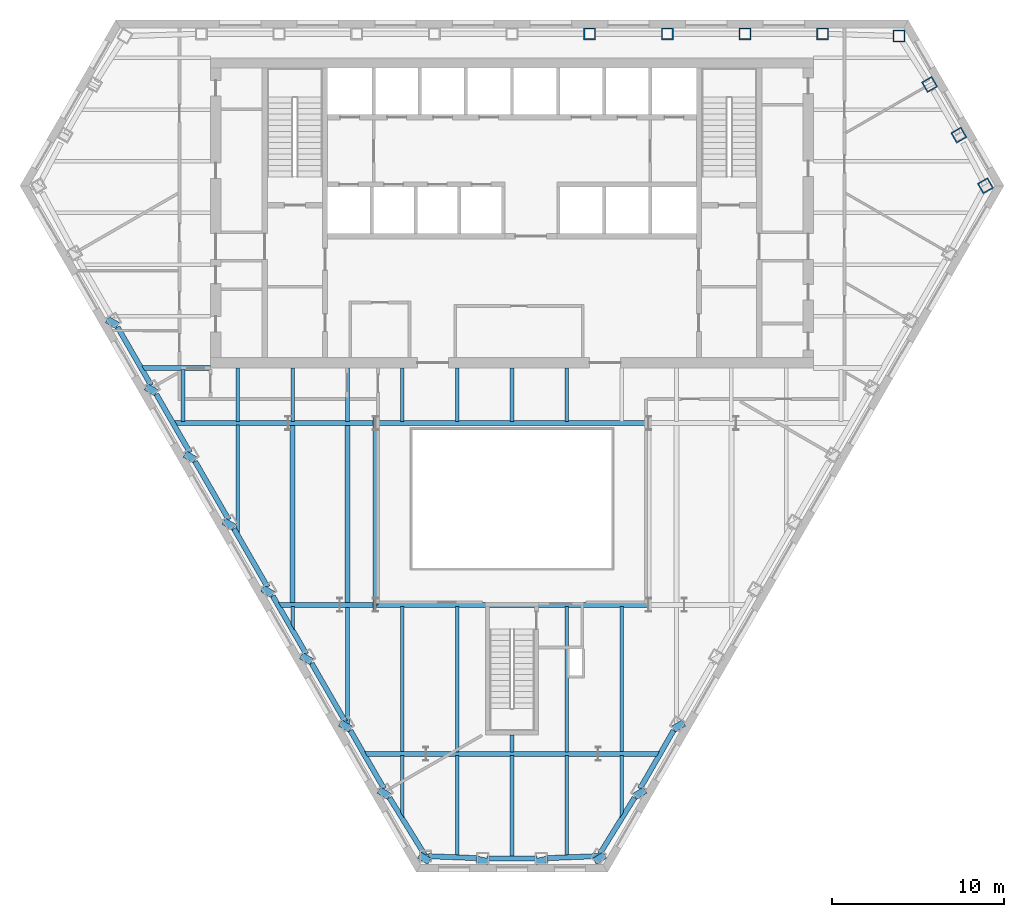
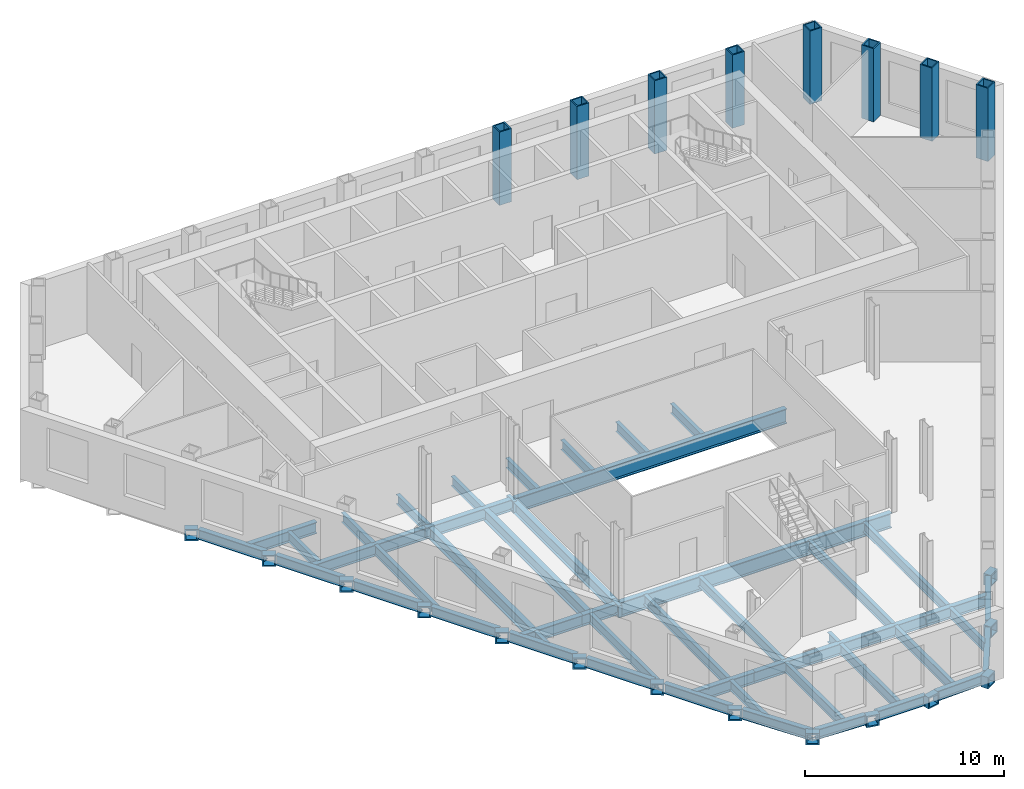
# One storey, part 2 of 12: 63 beams, 8 columns.
"""IFC4 building model written with IfcOpenShell, lengths in metres."""

from ifc_helpers import new_model, si_unit, direction, frame, origin, origin_2d, place, context, subcontext, project, spatial, hollow_rectangle, i_section, extrude, clip, halfspace, material, material_profile, profile_set, type_object, element, save


model = new_model("IFC4")

# Units and contexts
model_context = context("Model", 3, precision=1e-05, world=origin(), true_north=direction((0.0, 1.0)))
body_context = subcontext(model_context, "Body", "Model", "MODEL_VIEW")
ifc_project = project(units=[si_unit("LENGTHUNIT", "METRE"), si_unit("AREAUNIT", "SQUARE_METRE"), si_unit("VOLUMEUNIT", "CUBIC_METRE"), si_unit("PLANEANGLEUNIT", "RADIAN"), si_unit("MASSUNIT", "GRAM", prefix="KILO")], contexts=[model_context])

# Site, building, storey
site_placement = place(None, origin())
site = spatial("IfcSite", under=ifc_project, at=site_placement, CompositionType="ELEMENT")
building_placement = place(site_placement, origin())
building = spatial("IfcBuilding", under=site, at=building_placement, Name="Njiva Tower", CompositionType="ELEMENT")
storey_placement = place(building_placement, frame((0.0, 0.0, 60.3)))
storey = spatial("IfcBuildingStorey", under=building, at=storey_placement, Name="L12", CompositionType="ELEMENT", Elevation=60.3)

# Columns
ifc_material = material(Name="Steel S355 J2", Category="steel")
ifc_material_profile_1 = material_profile(ifc_material, hollow_rectangle(XDim=0.7, YDim=0.7, WallThickness=0.07, at=origin_2d()), Name="BOX 700x700x70")
ifc_profile_set_1 = profile_set([ifc_material_profile_1], Name="Steel S355 J2")
column_type = type_object("IfcColumnType", Name="C5 Perimeter tube column BOX 700x700x70", PredefinedType="COLUMN", material=ifc_profile_set_1)
for number, where, z_axis, x_axis, name in (
    (1, (22.466, 19.267, 0.0), (0.0, 0.0, 1.0), (-1.0, 0.0, 0.0), "Perimeter tube column S04-C01"),
    (2, (18.034, 19.4, 0.0), (0.0, 0.0, 1.0), (-1.0, 0.0, 0.0), "Perimeter tube column S04-C02"),
    (3, (13.526, 19.4, 0.0), (0.0, 0.0, 1.0), (-1.0, 0.0, 0.0), "Perimeter tube column S04-C03"),
    (4, (9.017, 19.4, 0.0), (0.0, 0.0, 1.0), (-1.0, 0.0, 0.0), "Perimeter tube column S04-C04"),
    (5, (4.509, 19.4, 0.0), (0.0, 0.0, 1.0), (-1.0, 0.0, 0.0), "Perimeter tube column S04-C05"),
    (6, (27.483, 10.578, 0.0), (0.0, 0.0, 1.0), (-0.5, 0.866025403784, 0.0), "Perimeter tube column S04-C37"),
    (7, (25.939, 13.519, 0.0), (0.0, 0.0, 1.0), (-0.5, 0.866025403784, 0.0), "Perimeter tube column S04-C38"),
    (8, (24.241, 16.459, 0.0), (0.0, 0.0, 1.0), (-0.5, 0.866025403784, 0.0), "Perimeter tube column S04-C39"),
):
    element("IfcColumn", number, at=place(storey_placement, frame(where, z_axis=z_axis, x_axis=x_axis)), inside=storey, type_object=column_type, Name=name, PredefinedType="COLUMN", context=body_context, shape_type="SweptSolid", body=[
        extrude(hollow_rectangle(XDim=0.7, YDim=0.7, WallThickness=0.07, at=origin_2d()), origin(), (0.0, 0.0, 1.0), 4.5),
    ])

# Beams
ifc_material_profile_2 = material_profile(ifc_material, i_section(OverallWidth=0.3, OverallDepth=0.69, WebThickness=0.0145, FlangeThickness=0.027, at=origin_2d()), Name="HEA 700")
ifc_profile_set_2 = profile_set([ifc_material_profile_2], Name="Steel S355 J2")
beam_type_1 = type_object("IfcBeamType", Name="B12 Long-span floor joist HEA 700", PredefinedType="JOIST", material=ifc_profile_set_2)
for number, where, z_axis, x_axis, name in (
    (9, (-12.733, -3.3, -0.545), (0.0, -1.0, 0.0), (1.0, 0.0, 0.0), "Long-span floor joist S04-B064"),
    (10, (-9.55, -3.3, -0.545), (0.0, -1.0, 0.0), (1.0, 0.0, 0.0), "Long-span floor joist S04-B068"),
):
    element("IfcBeam", number, at=place(storey_placement, frame(where, z_axis=z_axis, x_axis=x_axis)), inside=storey, type_object=beam_type_1, Name=name, PredefinedType="JOIST", context=body_context, shape_type="SweptSolid", body=[
        extrude(i_section(OverallWidth=0.3, OverallDepth=0.69, WebThickness=0.0145, FlangeThickness=0.027, at=origin_2d()), origin(), (0.0, 0.0, 1.0), 10.35),
    ])
ifc_material_profile_3 = material_profile(ifc_material, i_section(OverallWidth=0.22, OverallDepth=0.6, WebThickness=0.012, FlangeThickness=0.019, at=origin_2d()), Name="IPE 600")
ifc_profile_set_3 = profile_set([ifc_material_profile_3], Name="Steel S355 J2")
beam_type_2 = type_object("IfcBeamType", Name="B13 Floor joist IPE 600", PredefinedType="JOIST", material=ifc_profile_set_3)
beam_1_placement = place(storey_placement, frame((-15.917, -3.3, -0.5), z_axis=(0.0, -1.0, 0.0), x_axis=(1.0, 0.0, 0.0)))
element("IfcBeam", 11, at=beam_1_placement, inside=storey, type_object=beam_type_2, Name="Floor joist S04-B061", PredefinedType="JOIST", context=body_context, shape_type="Clipping", body=[
    clip(extrude(i_section(OverallWidth=0.22, OverallDepth=0.6, WebThickness=0.012, FlangeThickness=0.019, at=origin_2d()), origin(), (0.0, 0.0, 1.0), 6.431), halfspace(frame((-0.043, 0.0, 6.1454), z_axis=(-0.866026552831, 0.0, 0.499998009787), x_axis=(0.0, 1.0, 0.0)), False)),
])
beam_2_placement = place(storey_placement, frame((-9.55, -13.85, -0.5), z_axis=(0.0, -1.0, 0.0), x_axis=(1.0, 0.0, 0.0)))
element("IfcBeam", 12, at=beam_2_placement, inside=storey, type_object=beam_type_2, Name="Floor joist S04-B066", PredefinedType="JOIST", context=body_context, shape_type="Clipping", body=[
    clip(extrude(i_section(OverallWidth=0.22, OverallDepth=0.6, WebThickness=0.012, FlangeThickness=0.019, at=origin_2d()), origin(), (0.0, 0.0, 1.0), 7.02), halfspace(frame((-0.0433, 0.0, 6.7341), z_axis=(-0.866026552831, 0.0, 0.499998009787), x_axis=(0.0, 1.0, 0.0)), False)),
])
for number, where, z_axis, x_axis, name in (
    (13, (-6.367, -13.851, -0.5), (0.0, -1.0, 0.0), (1.0, 0.0, 0.0), "Floor joist S04-B071"),
    (14, (-3.183, -13.851, -0.5), (0.0, -1.0, 0.0), (1.0, 0.0, 0.0), "Floor joist S04-B074"),
):
    element("IfcBeam", number, at=place(storey_placement, frame(where, z_axis=z_axis, x_axis=x_axis)), inside=storey, type_object=beam_type_2, Name=name, PredefinedType="JOIST", context=body_context, shape_type="SweptSolid", body=[
        extrude(i_section(OverallWidth=0.22, OverallDepth=0.6, WebThickness=0.012, FlangeThickness=0.019, at=origin_2d()), origin(), (0.0, 0.0, 1.0), 8.449),
    ])
beam_3_placement = place(storey_placement, frame((-3.183, -22.5, -0.5), z_axis=(0.0, -1.0, 0.0), x_axis=(1.0, 0.0, 0.0)))
element("IfcBeam", 15, at=beam_3_placement, inside=storey, type_object=beam_type_2, Name="Floor joist S04-B073", PredefinedType="JOIST", context=body_context, shape_type="SweptSolid", body=[
    extrude(i_section(OverallWidth=0.22, OverallDepth=0.6, WebThickness=0.012, FlangeThickness=0.019, at=origin_2d()), origin(), (0.0, 0.0, 1.0), 5.804),
])
beam_4_placement = place(storey_placement, frame((0.0, -22.5, -0.5), z_axis=(0.0, -1.0, 0.0), x_axis=(1.0, 0.0, 0.0)))
element("IfcBeam", 16, at=beam_4_placement, inside=storey, type_object=beam_type_2, Name="Floor joist S04-B076", PredefinedType="JOIST", context=body_context, shape_type="SweptSolid", body=[
    extrude(i_section(OverallWidth=0.22, OverallDepth=0.6, WebThickness=0.012, FlangeThickness=0.019, at=origin_2d()), origin(), (0.0, 0.0, 1.0), 5.867),
])
beam_5_placement = place(storey_placement, frame((3.183, -13.851, -0.5), z_axis=(0.0, -1.0, 0.0), x_axis=(1.0, 0.0, 0.0)))
element("IfcBeam", 17, at=beam_5_placement, inside=storey, type_object=beam_type_2, Name="Floor joist S04-B080", PredefinedType="JOIST", context=body_context, shape_type="SweptSolid", body=[
    extrude(i_section(OverallWidth=0.22, OverallDepth=0.6, WebThickness=0.012, FlangeThickness=0.019, at=origin_2d()), origin(), (0.0, 0.0, 1.0), 8.449),
])
beam_6_placement = place(storey_placement, frame((3.183, -22.5, -0.5), z_axis=(0.0, -1.0, 0.0), x_axis=(1.0, 0.0, 0.0)))
element("IfcBeam", 18, at=beam_6_placement, inside=storey, type_object=beam_type_2, Name="Floor joist S04-B079", PredefinedType="JOIST", context=body_context, shape_type="SweptSolid", body=[
    extrude(i_section(OverallWidth=0.22, OverallDepth=0.6, WebThickness=0.012, FlangeThickness=0.019, at=origin_2d()), origin(), (0.0, 0.0, 1.0), 5.804),
])
beam_7_placement = place(storey_placement, frame((6.367, -13.851, -0.5), z_axis=(0.0, -1.0, 0.0), x_axis=(1.0, 0.0, 0.0)))
element("IfcBeam", 19, at=beam_7_placement, inside=storey, type_object=beam_type_2, Name="Floor joist S04-B083", PredefinedType="JOIST", context=body_context, shape_type="SweptSolid", body=[
    extrude(i_section(OverallWidth=0.22, OverallDepth=0.6, WebThickness=0.012, FlangeThickness=0.019, at=origin_2d()), origin(), (0.0, 0.0, 1.0), 8.449),
])
ifc_material_profile_4 = material_profile(ifc_material, i_section(OverallWidth=0.22, OverallDepth=0.6, WebThickness=0.012, FlangeThickness=0.019, at=origin_2d()), Name="IPE 600")
ifc_profile_set_4 = profile_set([ifc_material_profile_4], Name="Steel S355 J2")
beam_type_3 = type_object("IfcBeamType", Name="B14 Short-span floor joist IPE 600", PredefinedType="JOIST", material=ifc_profile_set_4)
beam_8_placement = place(storey_placement, frame((-19.1, -0.1, -0.5), z_axis=(0.0, -1.0, 0.0), x_axis=(1.0, 0.0, 0.0)))
element("IfcBeam", 20, at=beam_8_placement, inside=storey, type_object=beam_type_3, Name="Short-span floor joist S04-B060", PredefinedType="JOIST", context=body_context, shape_type="SweptSolid", body=[
    extrude(i_section(OverallWidth=0.22, OverallDepth=0.6, WebThickness=0.012, FlangeThickness=0.019, at=origin_2d()), origin(), (0.0, 0.0, 1.0), 3.0),
])
for number, where, z_axis, x_axis, name in (
    (21, (-15.917, -0.005, -0.5), (0.0, -1.0, 0.0), (1.0, 0.0, 0.0), "Short-span floor joist S04-B062"),
    (22, (-12.733, -0.005, -0.5), (0.0, -1.0, 0.0), (1.0, 0.0, 0.0), "Short-span floor joist S04-B065"),
):
    element("IfcBeam", number, at=place(storey_placement, frame(where, z_axis=z_axis, x_axis=x_axis)), inside=storey, type_object=beam_type_3, Name=name, PredefinedType="JOIST", context=body_context, shape_type="SweptSolid", body=[
        extrude(i_section(OverallWidth=0.22, OverallDepth=0.6, WebThickness=0.012, FlangeThickness=0.019, at=origin_2d()), origin(), (0.0, 0.0, 1.0), 3.095),
    ])
beam_9_placement = place(storey_placement, frame((-12.733, -13.85, -0.5), z_axis=(0.0, -1.0, 0.0), x_axis=(1.0, 0.0, 0.0)))
element("IfcBeam", 23, at=beam_9_placement, inside=storey, type_object=beam_type_3, Name="Short-span floor joist S04-B063", PredefinedType="JOIST", context=body_context, shape_type="Clipping", body=[
    clip(extrude(i_section(OverallWidth=0.22, OverallDepth=0.6, WebThickness=0.012, FlangeThickness=0.019, at=origin_2d()), origin(), (0.0, 0.0, 1.0), 1.395), halfspace(frame((-0.0436, 0.0, 1.1091), z_axis=(-0.866026552831, 0.0, 0.499998009787), x_axis=(0.0, 1.0, 0.0)), False)),
])
beam_10_placement = place(storey_placement, frame((-9.55, -0.005, -0.5), z_axis=(0.0, -1.0, 0.0), x_axis=(1.0, 0.0, 0.0)))
element("IfcBeam", 24, at=beam_10_placement, inside=storey, type_object=beam_type_3, Name="Short-span floor joist S04-B069", PredefinedType="JOIST", context=body_context, shape_type="SweptSolid", body=[
    extrude(i_section(OverallWidth=0.22, OverallDepth=0.6, WebThickness=0.012, FlangeThickness=0.019, at=origin_2d()), origin(), (0.0, 0.0, 1.0), 3.095),
])
beam_11_placement = place(storey_placement, frame((-6.367, -0.005, -0.5), z_axis=(0.0, -1.0, 0.0), x_axis=(1.0, 0.0, 0.0)))
element("IfcBeam", 25, at=beam_11_placement, inside=storey, type_object=beam_type_3, Name="Short-span floor joist S04-B072", PredefinedType="JOIST", context=body_context, shape_type="SweptSolid", body=[
    extrude(i_section(OverallWidth=0.22, OverallDepth=0.6, WebThickness=0.012, FlangeThickness=0.019, at=origin_2d()), origin(), (0.0, 0.0, 1.0), 3.094),
])
beam_12_placement = place(storey_placement, frame((-6.367, -22.5, -0.5), z_axis=(0.0, -1.0, 0.0), x_axis=(1.0, 0.0, 0.0)))
element("IfcBeam", 26, at=beam_12_placement, inside=storey, type_object=beam_type_3, Name="Short-span floor joist S04-B070", PredefinedType="JOIST", context=body_context, shape_type="Clipping", body=[
    clip(extrude(i_section(OverallWidth=0.22, OverallDepth=0.6, WebThickness=0.012, FlangeThickness=0.019, at=origin_2d()), origin(), (0.0, 0.0, 1.0), 3.657), halfspace(frame((-0.0422, 0.0, 3.3905), z_axis=(-0.850624900762, 0.0, 0.525773029171), x_axis=(0.0, 1.0, 0.0)), False)),
])
for number, where, z_axis, x_axis, name in (
    (27, (-3.183, -0.005, -0.5), (0.0, -1.0, 0.0), (1.0, 0.0, 0.0), "Short-span floor joist S04-B075"),
    (28, (0.0, -0.005, -0.5), (0.0, -1.0, 0.0), (1.0, 0.0, 0.0), "Short-span floor joist S04-B078"),
):
    element("IfcBeam", number, at=place(storey_placement, frame(where, z_axis=z_axis, x_axis=x_axis)), inside=storey, type_object=beam_type_3, Name=name, PredefinedType="JOIST", context=body_context, shape_type="SweptSolid", body=[
        extrude(i_section(OverallWidth=0.22, OverallDepth=0.6, WebThickness=0.012, FlangeThickness=0.019, at=origin_2d()), origin(), (0.0, 0.0, 1.0), 3.094),
    ])
beam_13_placement = place(storey_placement, frame((0.0, -21.3, -0.5), z_axis=(0.0, -1.0, 0.0), x_axis=(1.0, 0.0, 0.0)))
element("IfcBeam", 29, at=beam_13_placement, inside=storey, type_object=beam_type_3, Name="Short-span floor joist S04-B077", PredefinedType="JOIST", context=body_context, shape_type="SweptSolid", body=[
    extrude(i_section(OverallWidth=0.22, OverallDepth=0.6, WebThickness=0.012, FlangeThickness=0.019, at=origin_2d()), origin(), (0.0, 0.0, 1.0), 1.0),
])
beam_14_placement = place(storey_placement, frame((3.183, -0.005, -0.5), z_axis=(0.0, -1.0, 0.0), x_axis=(1.0, 0.0, 0.0)))
element("IfcBeam", 30, at=beam_14_placement, inside=storey, type_object=beam_type_3, Name="Short-span floor joist S04-B081", PredefinedType="JOIST", context=body_context, shape_type="SweptSolid", body=[
    extrude(i_section(OverallWidth=0.22, OverallDepth=0.6, WebThickness=0.012, FlangeThickness=0.019, at=origin_2d()), origin(), (0.0, 0.0, 1.0), 3.094),
])
beam_15_placement = place(storey_placement, frame((6.367, -22.5, -0.5), z_axis=(0.0, -1.0, 0.0), x_axis=(1.0, 0.0, 0.0)))
element("IfcBeam", 31, at=beam_15_placement, inside=storey, type_object=beam_type_3, Name="Short-span floor joist S04-B082", PredefinedType="JOIST", context=body_context, shape_type="Clipping", body=[
    clip(extrude(i_section(OverallWidth=0.22, OverallDepth=0.6, WebThickness=0.012, FlangeThickness=0.019, at=origin_2d()), origin(), (0.0, 0.0, 1.0), 3.657), halfspace(frame((0.0422, 0.0, 3.3905), z_axis=(0.850624900762, 0.0, 0.525773029171), x_axis=(0.0, 1.0, 0.0)), False)),
])
ifc_material_profile_5 = material_profile(ifc_material, i_section(OverallWidth=0.3, OverallDepth=0.69, WebThickness=0.0145, FlangeThickness=0.027, at=origin_2d()), Name="HEA 700")
ifc_profile_set_5 = profile_set([ifc_material_profile_5], Name="Steel S355 J2")
beam_type_4 = type_object("IfcBeamType", Name="B15 Floor girder HEA 700", PredefinedType="BEAM", material=ifc_profile_set_5)
beam_16_placement = place(storey_placement, frame((-19.673, -3.2, -0.545), z_axis=(1.0, 0.0, 0.0), x_axis=(0.0, 1.0, 0.0)))
element("IfcBeam", 32, at=beam_16_placement, inside=storey, type_object=beam_type_4, Name="Floor girder S04-B016", PredefinedType="BEAM", context=body_context, shape_type="Clipping", body=[
    clip(extrude(i_section(OverallWidth=0.3, OverallDepth=0.69, WebThickness=0.0145, FlangeThickness=0.027, at=origin_2d()), origin(), (0.0, 0.0, 1.0), 6.673), halfspace(frame((-0.025, 0.0, 0.1217), z_axis=(-0.499998009787, 0.0, -0.866026552831), x_axis=(0.0, -1.0, 0.0)), False)),
])
beam_17_placement = place(storey_placement, frame((-13.0, -3.2, -0.545), z_axis=(1.0, 0.0, 0.0), x_axis=(0.0, 1.0, 0.0)))
element("IfcBeam", 33, at=beam_17_placement, inside=storey, type_object=beam_type_4, Name="Floor girder S04-B018", PredefinedType="BEAM", context=body_context, shape_type="SweptSolid", body=[
    extrude(i_section(OverallWidth=0.3, OverallDepth=0.69, WebThickness=0.0145, FlangeThickness=0.027, at=origin_2d()), origin(), (0.0, 0.0, 1.0), 5.07),
])
ifc_material_profile_6 = material_profile(ifc_material, i_section(OverallWidth=0.3, OverallDepth=0.69, WebThickness=0.0145, FlangeThickness=0.027, at=origin_2d()), Name="HEA 700")
ifc_profile_set_6 = profile_set([ifc_material_profile_6], Name="Steel S355 J2")
beam_type_5 = type_object("IfcBeamType", Name="B16 Short-span floor girder HEA 700", PredefinedType="BEAM", material=ifc_profile_set_6)
beam_18_placement = place(storey_placement, frame((-13.582, -13.75, -0.545), z_axis=(1.0, 0.0, 0.0), x_axis=(0.0, 1.0, 0.0)))
element("IfcBeam", 34, at=beam_18_placement, inside=storey, type_object=beam_type_5, Name="Short-span floor girder S04-B017", PredefinedType="BEAM", context=body_context, shape_type="Clipping", body=[
    clip(extrude(i_section(OverallWidth=0.3, OverallDepth=0.69, WebThickness=0.0145, FlangeThickness=0.027, at=origin_2d()), origin(), (0.0, 0.0, 1.0), 3.582), halfspace(frame((-0.025, 0.0, 0.1217), z_axis=(-0.499998009787, 0.0, -0.866026552831), x_axis=(0.0, -1.0, 0.0)), False)),
])
beam_19_placement = place(storey_placement, frame((-10.0, -13.75, -0.545), z_axis=(1.0, 0.0, 0.0), x_axis=(0.0, 1.0, 0.0)))
element("IfcBeam", 35, at=beam_19_placement, inside=storey, type_object=beam_type_5, Name="Short-span floor girder S04-B019", PredefinedType="BEAM", context=body_context, shape_type="SweptSolid", body=[
    extrude(i_section(OverallWidth=0.3, OverallDepth=0.69, WebThickness=0.0145, FlangeThickness=0.027, at=origin_2d()), origin(), (0.0, 0.0, 1.0), 2.07),
])
beam_20_placement = place(storey_placement, frame((-8.588, -22.4, -0.545), z_axis=(1.0, 0.0, 0.0), x_axis=(0.0, 1.0, 0.0)))
element("IfcBeam", 36, at=beam_20_placement, inside=storey, type_object=beam_type_5, Name="Short-span floor girder S04-B020", PredefinedType="BEAM", context=body_context, shape_type="Clipping", body=[
    clip(extrude(i_section(OverallWidth=0.3, OverallDepth=0.69, WebThickness=0.0145, FlangeThickness=0.027, at=origin_2d()), origin(), (0.0, 0.0, 1.0), 3.588), halfspace(frame((-0.025, 0.0, 0.1218), z_axis=(-0.499998009787, 0.0, -0.866026552831), x_axis=(0.0, -1.0, 0.0)), False)),
])
beam_21_placement = place(storey_placement, frame((5.0, -22.4, -0.545), z_axis=(1.0, 0.0, 0.0), x_axis=(0.0, 1.0, 0.0)))
element("IfcBeam", 37, at=beam_21_placement, inside=storey, type_object=beam_type_5, Name="Short-span floor girder S04-B022", PredefinedType="BEAM", context=body_context, shape_type="Clipping", body=[
    clip(extrude(i_section(OverallWidth=0.3, OverallDepth=0.69, WebThickness=0.0145, FlangeThickness=0.027, at=origin_2d()), origin(), (0.0, 0.0, 1.0), 3.588), halfspace(frame((-0.025, 0.0, 3.4662), z_axis=(-0.499998009787, 0.0, 0.866026552831), x_axis=(0.0, 1.0, 0.0)), False)),
])
beam_22_placement = place(storey_placement, frame((-21.52, 0.0, -0.545), z_axis=(1.0, 0.0, 0.0), x_axis=(0.0, 1.0, 0.0)))
element("IfcBeam", 38, at=beam_22_placement, inside=storey, type_object=beam_type_5, Name="Short-span floor girder S04-B015", PredefinedType="BEAM", context=body_context, shape_type="Clipping", body=[
    clip(extrude(i_section(OverallWidth=0.3, OverallDepth=0.69, WebThickness=0.0145, FlangeThickness=0.027, at=origin_2d()), origin(), (0.0, 0.0, 1.0), 4.02), halfspace(frame((-0.025, 0.0, 0.1211), z_axis=(-0.499998009787, 0.0, -0.866026552831), x_axis=(0.0, -1.0, 0.0)), False)),
])
ifc_material_profile_7 = material_profile(ifc_material, i_section(OverallWidth=0.3, OverallDepth=0.69, WebThickness=0.0145, FlangeThickness=0.027, at=origin_2d()), Name="HEA 700")
ifc_profile_set_7 = profile_set([ifc_material_profile_7], Name="Steel S355 J2")
beam_type_6 = type_object("IfcBeamType", Name="B17 Long-span floor girder HEA 700", PredefinedType="BEAM", material=ifc_profile_set_7)
beam_23_placement = place(storey_placement, frame((-5.0, -22.4, -0.545), z_axis=(1.0, 0.0, 0.0), x_axis=(0.0, 1.0, 0.0)))
element("IfcBeam", 39, at=beam_23_placement, inside=storey, type_object=beam_type_6, Name="Long-span floor girder S04-B021", PredefinedType="BEAM", context=body_context, shape_type="SweptSolid", body=[
    extrude(i_section(OverallWidth=0.3, OverallDepth=0.69, WebThickness=0.0145, FlangeThickness=0.027, at=origin_2d()), origin(), (0.0, 0.0, 1.0), 10.0),
])
ifc_material_profile_8 = material_profile(ifc_material, i_section(OverallWidth=0.3, OverallDepth=0.69, WebThickness=0.0145, FlangeThickness=0.027, at=origin_2d()), Name="HEA 700")
ifc_profile_set_8 = profile_set([ifc_material_profile_8], Name="Steel S355 J2")
beam_type_7 = type_object("IfcBeamType", Name="B18 Long-span atrium trimmer beam HEA 700", PredefinedType="BEAM", material=ifc_profile_set_8)
beam_24_placement = place(storey_placement, frame((-7.93, -3.2, -0.545), z_axis=(0.0, -1.0, 0.0), x_axis=(1.0, 0.0, 0.0)))
element("IfcBeam", 40, at=beam_24_placement, inside=storey, type_object=beam_type_7, Name="Long-span atrium trimmer beam S04-B095", PredefinedType="BEAM", context=body_context, shape_type="SweptSolid", body=[
    extrude(i_section(OverallWidth=0.3, OverallDepth=0.69, WebThickness=0.0145, FlangeThickness=0.027, at=origin_2d()), origin(), (0.0, 0.0, 1.0), 10.55),
])
ifc_material_profile_9 = material_profile(ifc_material, hollow_rectangle(XDim=0.7, YDim=0.7, WallThickness=0.08, at=origin_2d()), Name="BOX 700x700x80")
ifc_profile_set_9 = profile_set([ifc_material_profile_9], Name="Steel S355 J2")
beam_type_8 = type_object("IfcBeamType", Name="B19 Column jog beam BOX 700x700x80", PredefinedType="BEAM", material=ifc_profile_set_9)
beam_25_placement = place(storey_placement, frame((-23.304, 2.459, -0.55), z_axis=(0.494586791245, 0.86912824481, 0.0), x_axis=(-0.86912824481, 0.494586791245, 0.0)))
element("IfcBeam", 41, at=beam_25_placement, inside=storey, type_object=beam_type_8, Name="Column jog beam S04-B032", PredefinedType="BEAM", context=body_context, shape_type="SweptSolid", body=[
    extrude(hollow_rectangle(XDim=0.7, YDim=0.7, WallThickness=0.08, at=origin_2d()), origin(), (0.0, 0.0, 1.0), 0.4165),
])
beam_26_placement = place(storey_placement, frame((-21.05, -1.445, -0.55), z_axis=(0.496397168374, 0.868095531166, 0.0), x_axis=(-0.868095531166, 0.496397168374, 0.0)))
element("IfcBeam", 42, at=beam_26_placement, inside=storey, type_object=beam_type_8, Name="Column jog beam S04-B033", PredefinedType="BEAM", context=body_context, shape_type="SweptSolid", body=[
    extrude(hollow_rectangle(XDim=0.7, YDim=0.7, WallThickness=0.08, at=origin_2d()), origin(), (0.0, 0.0, 1.0), 0.417),
])
for number, where, z_axis, x_axis, name in (
    (43, (-18.796, -5.348, -0.55), (0.498471124258, 0.866906303058, 0.0), (-0.866906303058, 0.498471124258, 0.0), "Column jog beam S04-B034"),
    (44, (-16.542, -9.252, -0.55), (0.498471124258, 0.866906303058, 0.0), (-0.866906303058, 0.498471124258, 0.0), "Column jog beam S04-B035"),
):
    element("IfcBeam", number, at=place(storey_placement, frame(where, z_axis=z_axis, x_axis=x_axis)), inside=storey, type_object=beam_type_8, Name=name, PredefinedType="BEAM", context=body_context, shape_type="SweptSolid", body=[
        extrude(hollow_rectangle(XDim=0.7, YDim=0.7, WallThickness=0.08, at=origin_2d()), origin(), (0.0, 0.0, 1.0), 0.4153),
    ])
beam_27_placement = place(storey_placement, frame((-14.288, -13.156, -0.55), z_axis=(0.501321266831, 0.865261224962, 0.0), x_axis=(-0.865261224962, 0.501321266831, 0.0)))
element("IfcBeam", 45, at=beam_27_placement, inside=storey, type_object=beam_type_8, Name="Column jog beam S04-B036", PredefinedType="BEAM", context=body_context, shape_type="SweptSolid", body=[
    extrude(hollow_rectangle(XDim=0.7, YDim=0.7, WallThickness=0.08, at=origin_2d()), origin(), (0.0, 0.0, 1.0), 0.4149),
])
for number, where, z_axis, x_axis, name in (
    (46, (-12.035, -17.059, -0.55), (0.505223113522, 0.862988763289, 0.0), (-0.862988763289, 0.505223113522, 0.0), "Column jog beam S04-B037"),
    (47, (-9.781, -20.963, -0.55), (0.505223113522, 0.862988763289, 0.0), (-0.862988763289, 0.505223113522, 0.0), "Column jog beam S04-B038"),
):
    element("IfcBeam", number, at=place(storey_placement, frame(where, z_axis=z_axis, x_axis=x_axis)), inside=storey, type_object=beam_type_8, Name=name, PredefinedType="BEAM", context=body_context, shape_type="SweptSolid", body=[
        extrude(hollow_rectangle(XDim=0.7, YDim=0.7, WallThickness=0.08, at=origin_2d()), origin(), (0.0, 0.0, 1.0), 0.4137),
    ])
beam_28_placement = place(storey_placement, frame((-7.528, -24.867, -0.55), z_axis=(0.511653569891, 0.85919184378, 0.0), x_axis=(-0.85919184378, 0.511653569891, 0.0)))
element("IfcBeam", 48, at=beam_28_placement, inside=storey, type_object=beam_type_8, Name="Column jog beam S04-B041", PredefinedType="BEAM", context=body_context, shape_type="SweptSolid", body=[
    extrude(hollow_rectangle(XDim=0.7, YDim=0.7, WallThickness=0.08, at=origin_2d()), origin(), (0.0, 0.0, 1.0), 0.4143),
])
beam_29_placement = place(storey_placement, frame((-5.197, -28.637, -0.55), z_axis=(0.512716359807, 0.858558055338, 0.0), x_axis=(-0.858558055338, 0.512716359807, 0.0)))
element("IfcBeam", 49, at=beam_29_placement, inside=storey, type_object=beam_type_8, Name="Column jog beam S04-B042", PredefinedType="BEAM", context=body_context, shape_type="SweptSolid", body=[
    extrude(hollow_rectangle(XDim=0.7, YDim=0.7, WallThickness=0.08, at=origin_2d()), origin(), (0.0, 0.0, 1.0), 0.4135),
])
for number, where, z_axis, x_axis, name in (
    (50, (-1.76, -28.778, -0.55), (0.196116135138, 0.980580675691, 0.0), (-0.980580675691, 0.196116135138, 0.0), "Column jog beam S04-B043"),
    (51, (1.76, -28.778, -0.55), (-0.196116135138, 0.980580675691, 0.0), (-0.980580675691, -0.196116135138, 0.0), "Column jog beam S04-B044"),
):
    element("IfcBeam", number, at=place(storey_placement, frame(where, z_axis=z_axis, x_axis=x_axis)), inside=storey, type_object=beam_type_8, Name=name, PredefinedType="BEAM", context=body_context, shape_type="SweptSolid", body=[
        extrude(hollow_rectangle(XDim=0.7, YDim=0.7, WallThickness=0.08, at=origin_2d()), origin(), (0.0, 0.0, 1.0), 0.3773),
    ])
beam_30_placement = place(storey_placement, frame((5.197, -28.637, -0.55), z_axis=(-0.512716359807, 0.858558055338, 0.0), x_axis=(-0.858558055338, -0.512716359807, 0.0)))
element("IfcBeam", 52, at=beam_30_placement, inside=storey, type_object=beam_type_8, Name="Column jog beam S04-B045", PredefinedType="BEAM", context=body_context, shape_type="SweptSolid", body=[
    extrude(hollow_rectangle(XDim=0.7, YDim=0.7, WallThickness=0.08, at=origin_2d()), origin(), (0.0, 0.0, 1.0), 0.4135),
])
beam_31_placement = place(storey_placement, frame((7.528, -24.867, -0.55), z_axis=(-0.511653569891, 0.85919184378, 0.0), x_axis=(-0.85919184378, -0.511653569891, 0.0)))
element("IfcBeam", 53, at=beam_31_placement, inside=storey, type_object=beam_type_8, Name="Column jog beam S04-B046", PredefinedType="BEAM", context=body_context, shape_type="SweptSolid", body=[
    extrude(hollow_rectangle(XDim=0.7, YDim=0.7, WallThickness=0.08, at=origin_2d()), origin(), (0.0, 0.0, 1.0), 0.4143),
])
beam_32_placement = place(storey_placement, frame((9.781, -20.963, -0.55), z_axis=(-0.505223113522, 0.862988763289, 0.0), x_axis=(-0.862988763289, -0.505223113522, 0.0)))
element("IfcBeam", 54, at=beam_32_placement, inside=storey, type_object=beam_type_8, Name="Column jog beam S04-B049", PredefinedType="BEAM", context=body_context, shape_type="SweptSolid", body=[
    extrude(hollow_rectangle(XDim=0.7, YDim=0.7, WallThickness=0.08, at=origin_2d()), origin(), (0.0, 0.0, 1.0), 0.4137),
])
for number, where, z_axis, x_axis, name in (
    (55, (-8.06, -3.2, -0.55), (1.0, 0.0, 0.0), (0.0, 1.0, 0.0), "Column jog beam S04-B040"),
    (56, (-8.06, -13.75, -0.55), (1.0, 0.0, 0.0), (0.0, 1.0, 0.0), "Column jog beam S04-B039"),
):
    element("IfcBeam", number, at=place(storey_placement, frame(where, z_axis=z_axis, x_axis=x_axis)), inside=storey, type_object=beam_type_8, Name=name, PredefinedType="BEAM", context=body_context, shape_type="SweptSolid", body=[
        extrude(hollow_rectangle(XDim=0.7, YDim=0.7, WallThickness=0.08, at=origin_2d()), origin(), (0.0, 0.0, 1.0), 0.19),
    ])
ifc_material_profile_10 = material_profile(ifc_material, i_section(OverallWidth=0.3, OverallDepth=0.6, WebThickness=0.0155, FlangeThickness=0.03, at=origin_2d()), Name="HEB 600")
ifc_profile_set_10 = profile_set([ifc_material_profile_10], Name="Steel S355 J2")
beam_type_9 = type_object("IfcBeamType", Name="B3 Short-span spandrel beam HEB 600", PredefinedType="SPANDREL", material=ifc_profile_set_10)
beam_33_placement = place(storey_placement, frame((-22.902, 2.379, -0.5), z_axis=(0.500047346826, -0.865998066356, 0.0), x_axis=(0.865998066356, 0.500047346826, 0.0)))
element("IfcBeam", 57, at=beam_33_placement, inside=storey, type_object=beam_type_9, Name="Short-span spandrel beam S04-B112", PredefinedType="SPANDREL", context=body_context, shape_type="SweptSolid", body=[
    extrude(i_section(OverallWidth=0.3, OverallDepth=0.6, WebThickness=0.0155, FlangeThickness=0.03, at=origin_2d()), origin(), (0.0, 0.0, 1.0), 3.9076),
])
beam_34_placement = place(storey_placement, frame((-20.648, -1.525, -0.5), z_axis=(0.499855389907, -0.866108878364, 0.0), x_axis=(0.866108878364, 0.499855389907, 0.0)))
element("IfcBeam", 58, at=beam_34_placement, inside=storey, type_object=beam_type_9, Name="Short-span spandrel beam S04-B116", PredefinedType="SPANDREL", context=body_context, shape_type="SweptSolid", body=[
    extrude(i_section(OverallWidth=0.3, OverallDepth=0.6, WebThickness=0.0155, FlangeThickness=0.03, at=origin_2d()), origin(), (0.0, 0.0, 1.0), 3.9071),
])
for number, where, z_axis, x_axis, name in (
    (59, (-18.395, -5.428, -0.5), (0.499936548189, -0.866062034606, 0.0), (0.866062034606, 0.499936548189, 0.0), "Short-span spandrel beam S04-B118"),
    (60, (-16.141, -9.332, -0.5), (0.499936548189, -0.866062034606, 0.0), (0.866062034606, 0.499936548189, 0.0), "Short-span spandrel beam S04-B122"),
):
    element("IfcBeam", number, at=place(storey_placement, frame(where, z_axis=z_axis, x_axis=x_axis)), inside=storey, type_object=beam_type_9, Name=name, PredefinedType="SPANDREL", context=body_context, shape_type="SweptSolid", body=[
        extrude(i_section(OverallWidth=0.3, OverallDepth=0.6, WebThickness=0.0155, FlangeThickness=0.03, at=origin_2d()), origin(), (0.0, 0.0, 1.0), 3.9085),
    ])
beam_35_placement = place(storey_placement, frame((-13.887, -13.236, -0.5), z_axis=(0.499966215292, -0.866044908516, 0.0), x_axis=(0.866044908516, 0.499966215292, 0.0)))
element("IfcBeam", 61, at=beam_35_placement, inside=storey, type_object=beam_type_9, Name="Short-span spandrel beam S04-B124", PredefinedType="SPANDREL", context=body_context, shape_type="SweptSolid", body=[
    extrude(i_section(OverallWidth=0.3, OverallDepth=0.6, WebThickness=0.0155, FlangeThickness=0.03, at=origin_2d()), origin(), (0.0, 0.0, 1.0), 3.9063),
])
for number, where, z_axis, x_axis, name in (
    (62, (-11.634, -17.139, -0.5), (0.500047346826, -0.865998066356, 0.0), (0.865998066356, 0.500047346826, 0.0), "Short-span spandrel beam S04-B128"),
    (63, (-9.38, -21.043, -0.5), (0.500047346826, -0.865998066356, 0.0), (0.865998066356, 0.500047346826, 0.0), "Short-span spandrel beam S04-B130"),
):
    element("IfcBeam", number, at=place(storey_placement, frame(where, z_axis=z_axis, x_axis=x_axis)), inside=storey, type_object=beam_type_9, Name=name, PredefinedType="SPANDREL", context=body_context, shape_type="SweptSolid", body=[
        extrude(i_section(OverallWidth=0.3, OverallDepth=0.6, WebThickness=0.0155, FlangeThickness=0.03, at=origin_2d()), origin(), (0.0, 0.0, 1.0), 3.9076),
    ])
beam_36_placement = place(storey_placement, frame((-7.113, -24.942, -0.5), z_axis=(0.525714977815, -0.850660779689, 0.0), x_axis=(0.850660779689, 0.525714977815, 0.0)))
element("IfcBeam", 64, at=beam_36_placement, inside=storey, type_object=beam_type_9, Name="Short-span spandrel beam S04-B133", PredefinedType="SPANDREL", context=body_context, shape_type="Clipping", body=[
    clip(extrude(i_section(OverallWidth=0.3, OverallDepth=0.6, WebThickness=0.0155, FlangeThickness=0.03, at=origin_2d()), origin(), (0.0, 0.0, 1.0), 4.0429), halfspace(frame((-0.026, 0.0, 3.9138), z_axis=(-0.525714977815, 0.0, 0.850660779689), x_axis=(0.0, 1.0, 0.0)), False)),
])
beam_37_placement = place(storey_placement, frame((-4.861, -28.34, -0.5), z_axis=(0.999192989413, -0.040166776166, 0.0), x_axis=(0.040166776166, 0.999192989413, 0.0)))
element("IfcBeam", 65, at=beam_37_placement, inside=storey, type_object=beam_type_9, Name="Short-span spandrel beam S04-B134", PredefinedType="SPANDREL", context=body_context, shape_type="SweptSolid", body=[
    extrude(i_section(OverallWidth=0.3, OverallDepth=0.6, WebThickness=0.0155, FlangeThickness=0.03, at=origin_2d()), origin(), (0.0, 0.0, 1.0), 2.8133),
])
beam_38_placement = place(storey_placement, frame((-1.448, -28.467, -0.5), z_axis=(1.0, 0.0, 0.0), x_axis=(0.0, 1.0, 0.0)))
element("IfcBeam", 66, at=beam_38_placement, inside=storey, type_object=beam_type_9, Name="Short-span spandrel beam S04-B137", PredefinedType="SPANDREL", context=body_context, shape_type="SweptSolid", body=[
    extrude(i_section(OverallWidth=0.3, OverallDepth=0.6, WebThickness=0.0155, FlangeThickness=0.03, at=origin_2d()), origin(), (0.0, 0.0, 1.0), 2.896),
])
beam_39_placement = place(storey_placement, frame((2.05, -28.453, -0.5), z_axis=(0.999194369888, 0.040132420624, 0.0), x_axis=(-0.040132420624, 0.999194369888, 0.0)))
element("IfcBeam", 67, at=beam_39_placement, inside=storey, type_object=beam_type_9, Name="Short-span spandrel beam S04-B141", PredefinedType="SPANDREL", context=body_context, shape_type="Clipping", body=[
    clip(extrude(i_section(OverallWidth=0.3, OverallDepth=0.6, WebThickness=0.0155, FlangeThickness=0.03, at=origin_2d()), origin(), (0.0, 0.0, 1.0), 3.0303), halfspace(frame((-0.0271, 0.0, 2.8985), z_axis=(-0.534350938224, 0.0, 0.845262725323), x_axis=(0.0, 1.0, 0.0)), False)),
])
beam_40_placement = place(storey_placement, frame((5.101, -28.197, -0.5), z_axis=(0.525787720345, 0.850615819941, 0.0), x_axis=(-0.850615819941, 0.525787720345, 0.0)))
element("IfcBeam", 68, at=beam_40_placement, inside=storey, type_object=beam_type_9, Name="Short-span spandrel beam S04-B143", PredefinedType="SPANDREL", context=body_context, shape_type="SweptSolid", body=[
    extrude(i_section(OverallWidth=0.3, OverallDepth=0.6, WebThickness=0.0155, FlangeThickness=0.03, at=origin_2d()), origin(), (0.0, 0.0, 1.0), 3.8266),
])
beam_41_placement = place(storey_placement, frame((7.426, -24.427, -0.5), z_axis=(0.500047346826, 0.865998066356, 0.0), x_axis=(-0.865998066356, 0.500047346826, 0.0)))
element("IfcBeam", 69, at=beam_41_placement, inside=storey, type_object=beam_type_9, Name="Short-span spandrel beam S04-B145", PredefinedType="SPANDREL", context=body_context, shape_type="SweptSolid", body=[
    extrude(i_section(OverallWidth=0.3, OverallDepth=0.6, WebThickness=0.0155, FlangeThickness=0.03, at=origin_2d()), origin(), (0.0, 0.0, 1.0), 3.9076),
])
ifc_material_profile_11 = material_profile(ifc_material, i_section(OverallWidth=0.302, OverallDepth=0.91, WebThickness=0.021, FlangeThickness=0.04, at=origin_2d()), Name="HEM 900")
ifc_profile_set_11 = profile_set([ifc_material_profile_11], Name="Steel S355 J2")
beam_type_10 = type_object("IfcBeamType", Name="B8 Long-span atrium trimmer beam HEM 900", PredefinedType="BEAM", material=ifc_profile_set_11)
for number, where, z_axis, x_axis, name in (
    (70, (-7.93, -13.75, -0.655), (1.0, 0.0, 0.0), (0.0, 1.0, 0.0), "Long-span atrium trimmer beam S04-B096"),
    (71, (7.93, -3.2, -0.655), (-1.0, 0.0, 0.0), (0.0, -1.0, 0.0), "Long-span atrium trimmer beam S04-B098"),
):
    element("IfcBeam", number, at=place(storey_placement, frame(where, z_axis=z_axis, x_axis=x_axis)), inside=storey, type_object=beam_type_10, Name=name, PredefinedType="BEAM", context=body_context, shape_type="SweptSolid", body=[
        extrude(i_section(OverallWidth=0.302, OverallDepth=0.91, WebThickness=0.021, FlangeThickness=0.04, at=origin_2d()), origin(), (0.0, 0.0, 1.0), 15.86),
    ])

save(model, "model.ifc")
